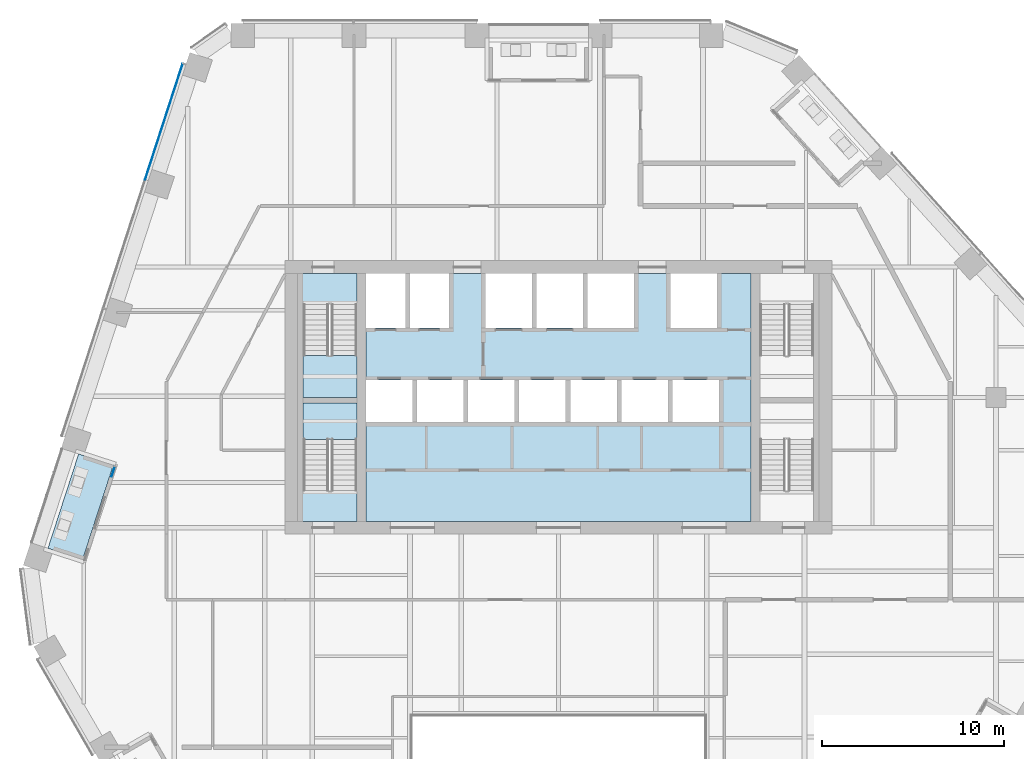
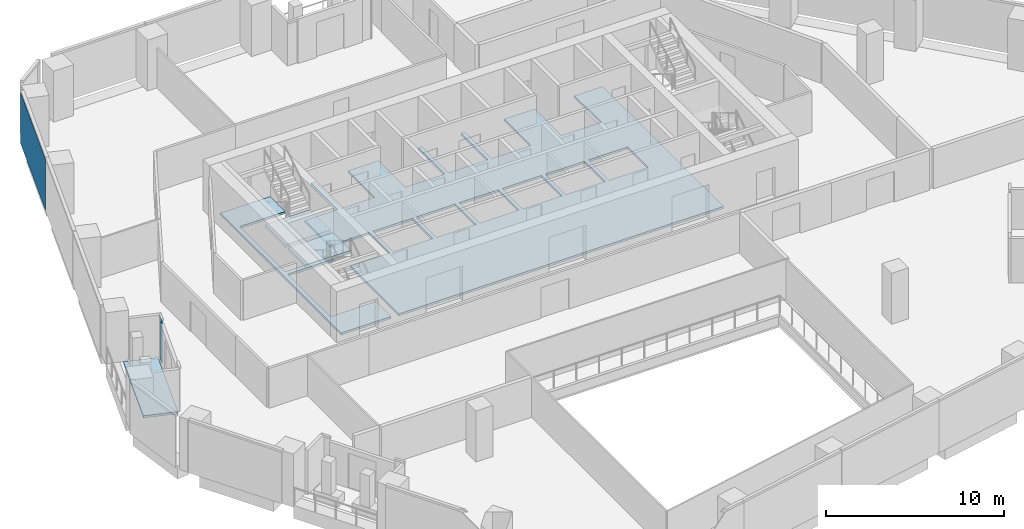
# One storey, part 15 of 25: 5 slabs, 2 plates, 4 elements without a shape of their own.
"""IFC4 building model written with IfcOpenShell, lengths in metres."""

from ifc_helpers import new_model, si_unit, direction, frame, origin, origin_2d, place, context, subcontext, project, spatial, polyline, rectangle, outline, extrude, material, layer, layer_set, type_object, element, aggregate, save


model = new_model("IFC4")

# Units and contexts
model_context = context("Model", 3, precision=1e-05, world=origin(), true_north=direction((0.0, 1.0)))
body_context = subcontext(model_context, "Body", "Model", "MODEL_VIEW")
ifc_project = project(units=[si_unit("LENGTHUNIT", "METRE"), si_unit("AREAUNIT", "SQUARE_METRE"), si_unit("VOLUMEUNIT", "CUBIC_METRE"), si_unit("PLANEANGLEUNIT", "RADIAN"), si_unit("MASSUNIT", "GRAM", prefix="KILO")], contexts=[model_context])

# Site, building, storey
site_placement = place(None, origin())
site = spatial("IfcSite", under=ifc_project, at=site_placement, CompositionType="ELEMENT")
building_placement = place(site_placement, origin())
building = spatial("IfcBuilding", under=site, at=building_placement, Name="Isthmus Gate Tower", CompositionType="ELEMENT")
storey_placement = place(building_placement, frame((0.0, 0.0, 174.449951171875)))
storey = spatial("IfcBuildingStorey", under=building, at=storey_placement, Name="L43", CompositionType="ELEMENT", Elevation=174.449951171875)

# Slabs
ifc_material_1 = material(Name="Concrete f'c 40 MPa", Category="concrete")
ifc_layer_1 = layer(ifc_material_1, 0.14990234375)
ifc_layer_set_1 = layer_set([ifc_layer_1], Name="CORE FLOOR SLAB 150")
slab_type_1 = type_object("IfcSlabType", Name="CORE FLOOR SLAB 150", PredefinedType="FLOOR", material=ifc_layer_set_1)
slab_1_placement = place(storey_placement, frame((0.0, 0.0, -0.14990234375)))
element("IfcSlab", 1, at=slab_1_placement, inside=storey, type_object=slab_type_1, Name="L43 core floor", PredefinedType="FLOOR", context=body_context, shape_type="SweptSolid", body=[
    extrude(outline(polyline([(-11.050048828125, 0.699951171875), (-11.050048828125, 2.402099609375), (-14.0, 2.402099609375), (-14.0, 7.199951171875), (-11.050048828125, 7.199951171875), (-11.050048828125, 7.5), (-14.0, 7.5), (-14.0, 12.597900390625), (-11.050048828125, 12.597900390625), (-11.050048828125, 14.300048828125), (-14.300048828125, 14.300048828125), (-14.300048828125, 0.699951171875), (-11.050048828125, 0.699951171875)])), origin(), (0.0, 0.0, 1.0), 0.14990234375),
])
slab_2_placement = place(storey_placement, frame((0.0, 0.0, -0.14990234375)))
element("IfcSlab", 2, at=slab_2_placement, inside=storey, type_object=slab_type_1, Name="L43 core floor", PredefinedType="FLOOR", context=body_context, shape_type="SweptSolid", body=[
    extrude(outline(polyline([(10.550048828125, 14.300048828125), (8.699951171875, 14.300048828125), (8.699951171875, 11.300048828125), (6.14990234375, 11.300048828125), (6.14990234375, 14.300048828125), (4.14990234375, 14.300048828125), (4.14990234375, 11.300048828125), (1.60009765625, 11.300048828125), (1.60009765625, 14.300048828125), (1.35009765625, 14.300048828125), (1.35009765625, 11.300048828125), (-1.199951171875, 11.300048828125), (-1.199951171875, 14.300048828125), (-1.449951171875, 14.300048828125), (-1.449951171875, 11.300048828125), (-4.0, 11.300048828125), (-4.0, 14.300048828125), (-6.0, 14.300048828125), (-6.0, 11.300048828125), (-8.14990234375, 11.300048828125), (-8.14990234375, 14.300048828125), (-8.39990234375, 14.300048828125), (-8.39990234375, 11.300048828125), (-10.550048828125, 11.300048828125), (-10.550048828125, 8.449951171875), (-8.0, 8.449951171875), (-8.0, 6.14990234375), (-10.550048828125, 6.14990234375), (-10.550048828125, 0.699951171875), (10.550048828125, 0.699951171875), (10.550048828125, 14.300048828125)]), holes=[polyline([(-5.199951171875, 8.449951171875), (-5.199951171875, 6.14990234375), (-7.75, 6.14990234375), (-7.75, 8.449951171875), (-5.199951171875, 8.449951171875)]), polyline([(-2.39990234375, 8.449951171875), (-2.39990234375, 6.14990234375), (-4.949951171875, 6.14990234375), (-4.949951171875, 8.449951171875), (-2.39990234375, 8.449951171875)]), polyline([(0.39990234375, 8.449951171875), (0.39990234375, 6.14990234375), (-2.14990234375, 6.14990234375), (-2.14990234375, 8.449951171875), (0.39990234375, 8.449951171875)]), polyline([(3.199951171875, 8.449951171875), (3.199951171875, 6.14990234375), (0.64990234375, 6.14990234375), (0.64990234375, 8.449951171875), (3.199951171875, 8.449951171875)]), polyline([(6.0, 8.449951171875), (6.0, 6.14990234375), (3.449951171875, 6.14990234375), (3.449951171875, 8.449951171875), (6.0, 8.449951171875)]), polyline([(8.800048828125, 8.449951171875), (8.800048828125, 6.14990234375), (6.25, 6.14990234375), (6.25, 8.449951171875), (8.800048828125, 8.449951171875)])]), origin(), (0.0, 0.0, 1.0), 0.14990234375),
])

# Curtain wall, plate
ifc_material_2 = material(Name="Aluminium, pale champagne anodised", Category="aluminium")
ifc_layer_2 = layer(ifc_material_2, 0.199951171875)
ifc_layer_set_2 = layer_set([ifc_layer_2], Name="CW-1 UNITISED CURTAIN WALL 200 DEEP")
curtain_wall_type_1 = type_object("IfcCurtainWallType", Name="CW-1 UNITISED CURTAIN WALL 200 DEEP", PredefinedType="NOTDEFINED", material=ifc_layer_set_2)
curtain_wall_1_placement = place(storey_placement, origin())
curtain_wall_1 = element("IfcCurtainWall", 3, at=curtain_wall_1_placement, inside=storey, type_object=curtain_wall_type_1, Name="CW-1 NW L43", PredefinedType="NOTDEFINED")
ifc_material_3 = material(Name="Laminated low-iron glass, pale blue tint", Category="glass")
ifc_layer_3 = layer(ifc_material_3, 0.035888671875)
ifc_layer_set_3 = layer_set([ifc_layer_3], Name="CW-1 CLEAR GLASS LITE 36")
plate_type_1 = type_object("IfcPlateType", Name="CW-1 CLEAR GLASS LITE 36", PredefinedType="CURTAIN_PANEL", material=ifc_layer_set_3)
plate_1_placement = place(storey_placement, frame((-21.6396484375, 22.619140625, 0.0), z_axis=(0.0, 0.0, 1.0), x_axis=(-0.309016994375, -0.951056516295, 0.0)))
plate_1 = element("IfcPlate", 4, at=plate_1_placement, type_object=plate_type_1, Name="CW-1 glass lite", PredefinedType="CURTAIN_PANEL", context=body_context, shape_type="SweptSolid", body=[
    extrude(rectangle(XDim=6.680908203125, YDim=0.035888671875, at=origin_2d()), origin(), (0.0, 0.0, 1.0), 3.510009765625),
])
aggregate(curtain_wall_1, [plate_1])

ifc_material_4 = material(Name="Aluminium, pale champagne anodised", Category="aluminium")
ifc_layer_4 = layer(ifc_material_4, 0.14990234375)
ifc_layer_set_4 = layer_set([ifc_layer_4], Name="CW-6 LOGGIA BACK WALL GLAZING 150 DEEP")
curtain_wall_type_2 = type_object("IfcCurtainWallType", Name="CW-6 LOGGIA BACK WALL GLAZING 150 DEEP", PredefinedType="NOTDEFINED", material=ifc_layer_set_4)
curtain_wall_2_placement = place(storey_placement, origin())
curtain_wall_2 = element("IfcCurtainWall", 5, at=curtain_wall_2_placement, inside=storey, type_object=curtain_wall_type_2, Name="CW-6 NW L43", PredefinedType="NOTDEFINED")
ifc_material_5 = material(Name="Laminated low-iron glass, clear", Category="glass")
ifc_layer_5 = layer(ifc_material_5, 0.031982421875)
ifc_layer_set_5 = layer_set([ifc_layer_5], Name="CW-6 CLEAR GLASS LITE 32")
plate_type_2 = type_object("IfcPlateType", Name="CW-6 CLEAR GLASS LITE 32", PredefinedType="CURTAIN_PANEL", material=ifc_layer_set_5)
plate_2_placement = place(storey_placement, frame((-24.42431640625, 3.427978515625, 0.0), z_axis=(0.0, 0.0, 1.0), x_axis=(-0.309016994375, -0.951056516295, 0.0)))
plate_2 = element("IfcPlate", 6, at=plate_2_placement, type_object=plate_type_2, Name="CW-6 glass lite", PredefinedType="CURTAIN_PANEL", context=body_context, shape_type="SweptSolid", body=[
    extrude(rectangle(XDim=0.560302734375, YDim=0.031982421875, at=origin_2d()), origin(), (0.0, 0.0, 1.0), 2.929931640625),
])
aggregate(curtain_wall_2, [plate_2])

# Slab
ifc_material_6 = material(Name="Concrete f'c 50 MPa", Category="concrete")
ifc_layer_6 = layer(ifc_material_6, 0.14990234375)
ifc_layer_set_6 = layer_set([ifc_layer_6], Name="LOGGIA FLOOR SLAB 150")
slab_type_2 = type_object("IfcSlabType", Name="LOGGIA FLOOR SLAB 150", PredefinedType="FLOOR", material=ifc_layer_set_6)
slab_3_placement = place(storey_placement, frame((0.0, 0.0, -0.14990234375)))
element("IfcSlab", 7, at=slab_3_placement, inside=storey, type_object=slab_type_2, Name="LOGGIA FLOOR", PredefinedType="FLOOR", context=body_context, shape_type="SweptSolid", body=[
    extrude(outline(polyline([(-26.31640625, 4.400634765625), (-27.99755859375, -0.77392578125), (-26.095458984375, -1.39208984375), (-24.414306640625, 3.782470703125), (-26.31640625, 4.400634765625)])), origin(), (0.0, 0.0, 1.0), 0.14990234375),
])

# Stair, slab
ifc_material_7 = material(Name="Concrete f'c 40 MPa", Category="concrete")
stair_type = type_object("IfcStairType", Name="CORE STAIR 22 RISERS", PredefinedType="HALF_TURN_STAIR", material=ifc_material_7)
stair_1_placement = place(storey_placement, origin())
stair_1 = element("IfcStair", 8, at=stair_1_placement, inside=storey, type_object=stair_type, Name="L43 Exit Stair 1", PredefinedType="HALF_TURN_STAIR")
ifc_material_8 = material(Name="Concrete f'c 40 MPa", Category="concrete")
ifc_layer_7 = layer(ifc_material_8, 0.199951171875)
ifc_layer_set_7 = layer_set([ifc_layer_7])
slab_type_3 = type_object("IfcSlabType", Name="STAIR LANDING RC 200", PredefinedType="LANDING", material=ifc_layer_set_7)
slab_4_placement = place(storey_placement, frame((0.0, 0.0, 1.625)))
slab_4 = element("IfcSlab", 9, at=slab_4_placement, type_object=slab_type_3, Name="ST1 landing 1", PredefinedType="LANDING", context=body_context, shape_type="SweptSolid", body=[
    extrude(outline(polyline([(-14.0, 9.800048828125), (-14.0, 7.5), (-11.050048828125, 7.5), (-11.050048828125, 9.800048828125), (-14.0, 9.800048828125)])), origin(), (0.0, 0.0, 1.0), 0.199951171875),
])
aggregate(stair_1, [slab_4])

stair_2_placement = place(storey_placement, origin())
stair_2 = element("IfcStair", 10, at=stair_2_placement, inside=storey, type_object=stair_type, Name="L43 Exit Stair 7", PredefinedType="HALF_TURN_STAIR")
slab_5_placement = place(storey_placement, frame((0.0, 0.0, 1.625)))
slab_5 = element("IfcSlab", 11, at=slab_5_placement, type_object=slab_type_3, Name="ST7 landing 1", PredefinedType="LANDING", context=body_context, shape_type="SweptSolid", body=[
    extrude(outline(polyline([(-11.050048828125, 5.199951171875), (-11.050048828125, 7.199951171875), (-14.0, 7.199951171875), (-14.0, 5.199951171875), (-11.050048828125, 5.199951171875)])), origin(), (0.0, 0.0, 1.0), 0.199951171875),
])
aggregate(stair_2, [slab_5])

save(model, "model.ifc")
